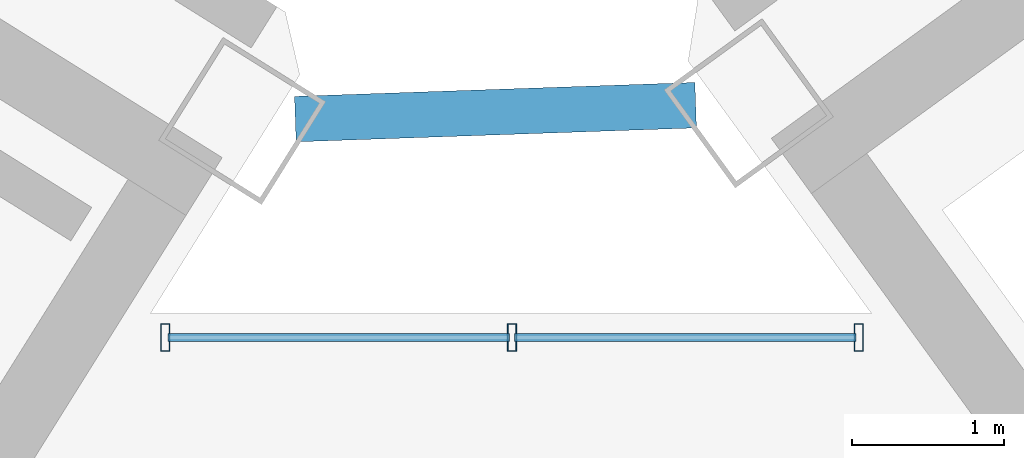
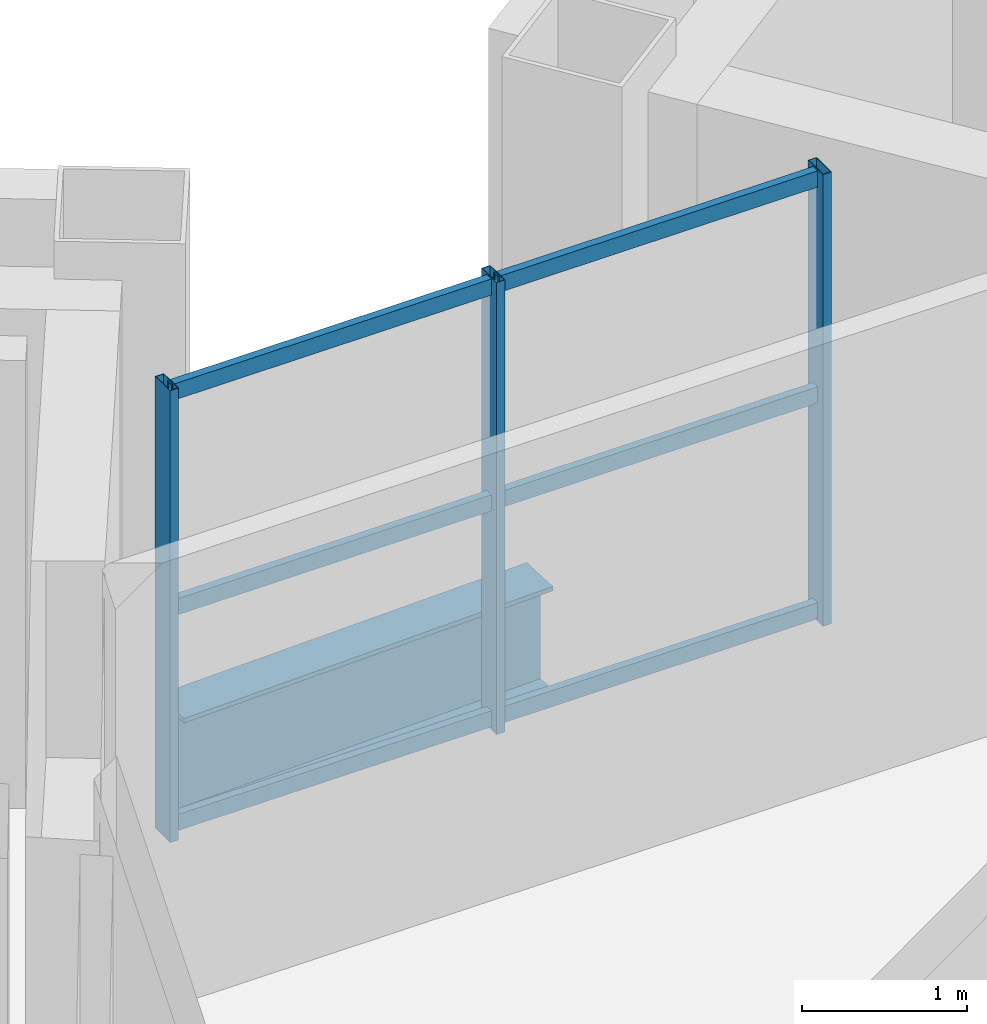
# One storey, part 12 of 27: 9 members, 1 beam, 1 element without a shape of its own.
"""IFC4 building model written with IfcOpenShell, lengths in metres."""

import ifcopenshell
import ifcopenshell.guid

model = None  # the IFC model being written
_history = None  # IfcOwnerHistory: only IFC2X3 demands one
_inside = {}  # id of a spatial element -> (the spatial element, [elements in it])
_under = {}  # id of a project, library or spatial element -> (it, [spatial elements below it])
_declared = {}  # id of a project -> (the project, [libraries it declares])
_typed = {}  # id of a type object -> (the type object, [elements of that type])
_made_of = {}  # id of a material, layer set ... -> (it, [elements and type objects made of it])


def new_model(schema):
    """Start an empty IFC model of exactly this schema.

    Asked for "IFC4X3", IfcOpenShell would pick the latest addendum, in which some entities
    have other attributes; the version numbers below select the first issue.
    IFC2X3 requires an IfcOwnerHistory on every rooted entity: one is made here for all.
    """
    global model, _history
    if schema == "IFC4X3":
        model = ifcopenshell.file(schema_version=(4, 3, 0, 0))
    else:
        model = ifcopenshell.file(schema=schema)
    _inside.clear()
    _under.clear()
    _declared.clear()
    _typed.clear()
    _made_of.clear()
    _history = None
    if model.schema == "IFC2X3":
        org = make("IfcOrganization", Name="unknown")
        user = make(
            "IfcPersonAndOrganization",
            ThePerson=make("IfcPerson", FamilyName="unknown"),
            TheOrganization=org,
        )
        app = make(
            "IfcApplication",
            ApplicationDeveloper=org,
            Version="unknown",
            ApplicationFullName="unknown",
            ApplicationIdentifier="unknown",
        )
        _history = make(
            "IfcOwnerHistory",
            OwningUser=user,
            OwningApplication=app,
            ChangeAction="ADDED",
            CreationDate=0,
        )
    return model


def make(cls, **values):
    """One entity of the class cls with the attributes given. An attribute that is None is left unset."""
    return model.create_entity(
        cls, **{name: value for name, value in values.items() if value is not None}
    )


def rooted(cls, **values):
    """An entity with a GlobalId (a new one), such as an element, a storey or a relation."""
    return make(cls, GlobalId=ifcopenshell.guid.new(), OwnerHistory=_history, **values)


def si_unit(unit_type, name, prefix=None):
    """IfcSIUnit, for example si_unit("LENGTHUNIT", "METRE", prefix="MILLI")."""
    return make("IfcSIUnit", UnitType=unit_type, Prefix=prefix, Name=name)


def assignment(units):
    """IfcUnitAssignment: the units of a project."""
    return None if units is None else make("IfcUnitAssignment", Units=units)


def point(xyz):
    """IfcCartesianPoint."""
    return None if xyz is None else make("IfcCartesianPoint", Coordinates=xyz)


def direction(xyz):
    """IfcDirection."""
    return None if xyz is None else make("IfcDirection", DirectionRatios=xyz)


def frame(location, z_axis=None, x_axis=None):
    """IfcAxis2Placement3D, a coordinate frame: its origin and axes. An axis left out is left unset."""
    return make(
        "IfcAxis2Placement3D",
        Location=point(location),
        Axis=direction(z_axis),
        RefDirection=direction(x_axis),
    )


def frame_2d(location, x_axis=None):
    """IfcAxis2Placement2D, a coordinate frame in the plane: its origin and x axis."""
    return make(
        "IfcAxis2Placement2D", Location=point(location), RefDirection=direction(x_axis)
    )


def origin():
    """The frame at (0, 0, 0) with its axes left unset."""
    return frame((0.0, 0.0, 0.0))


def origin_2d():
    """The frame at (0, 0) in the plane with its x axis left unset."""
    return frame_2d((0.0, 0.0))


def place(relative_to, where):
    """IfcLocalPlacement: puts the frame where relative to a parent placement (None: the world)."""
    return make(
        "IfcLocalPlacement", PlacementRelTo=relative_to, RelativePlacement=where
    )


def context(
    kind, dimensions, precision=None, world=None, true_north=None, identifier=None
):
    """IfcGeometricRepresentationContext, for example the 3D "Model" context."""
    return make(
        "IfcGeometricRepresentationContext",
        ContextIdentifier=identifier,
        ContextType=kind,
        CoordinateSpaceDimension=dimensions,
        Precision=precision,
        WorldCoordinateSystem=world,
        TrueNorth=true_north,
    )


def subcontext(parent, identifier, kind, view, scale=None):
    """IfcGeometricRepresentationSubContext, for example "Body" below "Model"."""
    return make(
        "IfcGeometricRepresentationSubContext",
        ContextIdentifier=identifier,
        ContextType=kind,
        ParentContext=parent,
        TargetScale=scale,
        TargetView=view,
    )


def project(units=None, contexts=None):
    """IfcProject with its units and contexts."""
    return rooted(
        "IfcProject",
        Name="project",
        RepresentationContexts=contexts,
        UnitsInContext=assignment(units),
    )


def spatial(cls, under=None, at=None, **own):
    """A site, building, storey or space (cls), placed at a placement, below another one or the project."""
    s = rooted(cls, ObjectPlacement=at, **own)
    if under is not None:
        _under.setdefault(under.id(), (under, []))[1].append(s)
    return s


def profile(cls, at=None, kind="AREA", **sizes):
    """A parametric profile (cls). Its sizes go by their IFC names, for example OverallWidth=200.0."""
    return make(cls, ProfileType=kind, Position=at, **sizes)


def hollow_rectangle(**sizes):
    """IfcRectangleHollowProfileDef."""
    return profile("IfcRectangleHollowProfileDef", **sizes)


def i_section(**sizes):
    """IfcIShapeProfileDef."""
    return profile("IfcIShapeProfileDef", **sizes)


def extrude(swept, where, along, depth):
    """IfcExtrudedAreaSolid: the profile swept, set in the frame where, extruded along a direction by depth."""
    return make(
        "IfcExtrudedAreaSolid",
        SweptArea=swept,
        Position=where,
        ExtrudedDirection=direction(along),
        Depth=depth,
    )


def shape(context_of_items, identifier, shape_type, items):
    """IfcShapeRepresentation: the items that make up one representation, for example the "Body"."""
    return make(
        "IfcShapeRepresentation",
        ContextOfItems=context_of_items,
        RepresentationIdentifier=identifier,
        RepresentationType=shape_type,
        Items=items,
    )


def source(mapping_origin, context_of_items, identifier, shape_type, items):
    """IfcRepresentationMap: a shape defined once, which mapped items show again and again."""
    return make(
        "IfcRepresentationMap",
        MappingOrigin=mapping_origin,
        MappedRepresentation=shape(context_of_items, identifier, shape_type, items),
    )


def transform(
    local_origin,
    x_axis=None,
    y_axis=None,
    z_axis=None,
    scale=None,
    scale2=None,
    scale3=None,
    uniform=True,
):
    """IfcCartesianTransformationOperator3D, or its non-uniform kind. x_axis, y_axis, z_axis: its Axis1, 2, 3."""
    if uniform:
        return make(
            "IfcCartesianTransformationOperator3D",
            Axis1=direction(x_axis),
            Axis2=direction(y_axis),
            LocalOrigin=point(local_origin),
            Scale=scale,
            Axis3=direction(z_axis),
        )
    return make(
        "IfcCartesianTransformationOperator3DnonUniform",
        Axis1=direction(x_axis),
        Axis2=direction(y_axis),
        LocalOrigin=point(local_origin),
        Scale=scale,
        Axis3=direction(z_axis),
        Scale2=scale2,
        Scale3=scale3,
    )


def mapped(mapping_source, mapping_target):
    """IfcMappedItem: shows the shape of a source again, moved by a transform."""
    return make(
        "IfcMappedItem", MappingSource=mapping_source, MappingTarget=mapping_target
    )


def material(Name=None, Category=None):
    """IfcMaterial."""
    return make("IfcMaterial", Name=Name, Category=Category)


def material_profile(
    of_material, cross_section, Name=None, Category=None, Priority=None
):
    """IfcMaterialProfile: a cross section and its material."""
    return make(
        "IfcMaterialProfile",
        Name=Name,
        Material=of_material,
        Profile=cross_section,
        Priority=Priority,
        Category=Category,
    )


def profile_set(profiles, Name=None, composite=None):
    """IfcMaterialProfileSet."""
    return make(
        "IfcMaterialProfileSet",
        Name=Name,
        MaterialProfiles=profiles,
        CompositeProfile=composite,
    )


def made_of(thing, what):
    """Note that an element or type object is made of a material, layer set ...; save() writes the relation."""
    if what is not None:
        _made_of.setdefault(what.id(), (what, []))[1].append(thing)
    return thing


def type_object(cls, material=None, **own):
    """A type object (cls), such as IfcWallType, which elements share."""
    return made_of(rooted(cls, **own), material)


def element(
    cls,
    number,
    at=None,
    inside=None,
    cuts=None,
    type_object=None,
    material=None,
    context=None,
    identifier="Body",
    shape_type=None,
    held_by="IfcProductDefinitionShape",
    body=None,
    shapes=None,
    **own,
):
    """One element of the class cls, such as IfcWall. Its Tag is "e" and its number.

    at: its placement. inside: the storey or other place that contains it. cuts: it is an
    opening in that element (IfcRelVoidsElement). A single representation is given by context,
    identifier, shape_type and body (its items); several are given by shapes. held_by: the class
    of the entity that holds the representations. save() writes the other relations.
    """
    e = rooted(cls, Tag="e%d" % number, ObjectPlacement=at, **own)
    if body is not None:
        shapes = [shape(context, identifier, shape_type, body)]
    if shapes is not None:
        e.Representation = make(held_by, Representations=shapes)
    if inside is not None:
        _inside.setdefault(inside.id(), (inside, []))[1].append(e)
    if cuts is not None:
        rooted(
            "IfcRelVoidsElement", RelatingBuildingElement=cuts, RelatedOpeningElement=e
        )
    if type_object is not None:
        _typed.setdefault(type_object.id(), (type_object, []))[1].append(e)
    return made_of(e, material)


def aggregate(whole, parts):
    """IfcRelAggregates: a whole, such as a stair, and the parts it consists of."""
    return rooted("IfcRelAggregates", RelatingObject=whole, RelatedObjects=parts)


def save(model, path):
    """Write the relations noted so far, then the file.

    IfcRelAggregates (storeys below a building ...), IfcRelContainedInSpatialStructure (elements
    in a storey), IfcRelDefinesByType, IfcRelAssociatesMaterial and IfcRelDeclares: one each for
    every whole, place, type object, material and project.
    """
    for whole, parts in _under.values():
        aggregate(whole, parts)
    for where, things in _inside.values():
        rooted(
            "IfcRelContainedInSpatialStructure",
            RelatedElements=things,
            RelatingStructure=where,
        )
    for kind, things in _typed.values():
        rooted("IfcRelDefinesByType", RelatedObjects=things, RelatingType=kind)
    for what, things in _made_of.values():
        rooted("IfcRelAssociatesMaterial", RelatedObjects=things, RelatingMaterial=what)
    for by, libraries in _declared.values():
        rooted("IfcRelDeclares", RelatingContext=by, RelatedDefinitions=libraries)
    model.write(path)


model = new_model("IFC4")

# Units and contexts
model_context = context("Model", 3, precision=1e-05, world=origin(), true_north=direction((0.0, 1.0)))
body_context = subcontext(model_context, "Body", "Model", "MODEL_VIEW")
ifc_project = project(units=[si_unit("LENGTHUNIT", "METRE"), si_unit("AREAUNIT", "SQUARE_METRE"), si_unit("VOLUMEUNIT", "CUBIC_METRE"), si_unit("PLANEANGLEUNIT", "RADIAN"), si_unit("MASSUNIT", "GRAM", prefix="KILO")], contexts=[model_context])

# Site, building, storey
site_placement = place(None, origin())
site = spatial("IfcSite", under=ifc_project, at=site_placement, CompositionType="ELEMENT")
building_placement = place(site_placement, origin())
building = spatial("IfcBuilding", under=site, at=building_placement, Name="Tlacorven Tower", CompositionType="ELEMENT")
storey_placement = place(building_placement, frame((0.0, 0.0, 242.10009765625)))
storey = spatial("IfcBuildingStorey", under=building, at=storey_placement, Name="L61", CompositionType="ELEMENT", Elevation=242.10009765625)

# Beam
ifc_material_1 = material(Name="Steel S355J2", Category="steel")
ifc_material_profile_1 = material_profile(ifc_material_1, i_section(OverallWidth=0.300048828125, OverallDepth=0.800048828125, WebThickness=0.017578125, FlangeThickness=0.032958984375, at=origin_2d()), Name="HEB 800")
ifc_profile_set_1 = profile_set([ifc_material_profile_1], Name="Steel S355J2")
beam_type = type_object("IfcBeamType", Name="BM-POD-800", PredefinedType="BEAM", material=ifc_profile_set_1)
shared_shape_1 = source(origin(), body_context, "Body", "SweptSolid", [
    extrude(i_section(OverallWidth=0.300048828125, OverallDepth=0.800048828125, WebThickness=0.017578125, FlangeThickness=0.032958984375, at=origin_2d()), origin(), (0.0, 0.0, 1.0), 2.642822265625),
])
beam_placement = place(storey_placement, frame((41.1328125, 24.480712890625, -0.650146484375), z_axis=(0.999393314814, 0.034828182629, 0.0), x_axis=(-0.034828182629, 0.999393314814, 0.0)))
element("IfcBeam", 1, at=beam_placement, inside=storey, type_object=beam_type, Name="L61 Knuckle Link Girder 1", PredefinedType="BEAM", context=body_context, shape_type="MappedRepresentation", body=[
    mapped(shared_shape_1, transform((0.0, 0.0, 0.0), scale=1.0)),
])

# Curtain wall, members
ifc_material_2 = material(Name="Dark solar low-E double glazing in aluminium frame", Category="aluminium")
curtain_wall_type = type_object("IfcCurtainWallType", Name="CW-TWR-HIGH", PredefinedType="USERDEFINED", material=ifc_material_2)
curtain_wall_placement = place(storey_placement, origin())
curtain_wall = element("IfcCurtainWall", 2, at=curtain_wall_placement, inside=storey, type_object=curtain_wall_type, Name="L61 CW-TWR-HIGH Curtain Wall 283", ObjectType="UNITISED CURTAIN WALL", PredefinedType="USERDEFINED")
ifc_material_3 = material(Name="Aluminium 6063-T6 anodised", Category="aluminium")
ifc_material_profile_2 = material_profile(ifc_material_3, hollow_rectangle(XDim=0.054931640625, YDim=0.1201171875, WallThickness=0.00341796875, at=origin_2d()), Name="ALU TRANSOM 55X120")
ifc_profile_set_2 = profile_set([ifc_material_profile_2], Name="Aluminium 6063-T6 anodised")
member_type_1 = type_object("IfcMemberType", Name="CWT-03", PredefinedType="USERDEFINED", material=ifc_profile_set_2)
shared_shape_2 = source(origin(), body_context, "Body", "SweptSolid", [
    extrude(hollow_rectangle(XDim=0.054931640625, YDim=0.1201171875, WallThickness=0.00341796875, at=origin_2d()), origin(), (0.0, 0.0, 1.0), 2.252197265625),
])
member_1_placement = place(storey_placement, frame((40.2919921875, 23.0400390625, 0.059814453125), z_axis=(1.0, 0.0, 0.0), x_axis=(0.0, 1.0, 0.0)))
member_1 = element("IfcMember", 3, at=member_1_placement, type_object=member_type_1, Name="CW-L61-283 Transom 1", ObjectType="TRANSOM", PredefinedType="USERDEFINED", context=body_context, shape_type="MappedRepresentation", body=[
    mapped(shared_shape_2, transform((0.0, 0.0, 0.0), scale=1.0)),
])
member_2_placement = place(storey_placement, frame((40.2919921875, 23.0400390625, 1.659912109375), z_axis=(1.0, 0.0, 0.0), x_axis=(0.0, 1.0, 0.0)))
member_2 = element("IfcMember", 4, at=member_2_placement, type_object=member_type_1, Name="CW-L61-283 Transom 2", ObjectType="TRANSOM", PredefinedType="USERDEFINED", context=body_context, shape_type="MappedRepresentation", body=[
    mapped(shared_shape_2, transform((0.0, 0.0, 0.0), scale=1.0)),
])
member_3_placement = place(storey_placement, frame((40.2919921875, 23.0400390625, 3.260009765625), z_axis=(1.0, 0.0, 0.0), x_axis=(0.0, 1.0, 0.0)))
member_3 = element("IfcMember", 5, at=member_3_placement, type_object=member_type_1, Name="CW-L61-283 Transom 3", ObjectType="TRANSOM", PredefinedType="USERDEFINED", context=body_context, shape_type="MappedRepresentation", body=[
    mapped(shared_shape_2, transform((0.0, 0.0, 0.0), scale=1.0)),
])
member_4_placement = place(storey_placement, frame((42.580322265625, 23.0400390625, 0.059814453125), z_axis=(1.0, 0.0, 0.0), x_axis=(0.0, 1.0, 0.0)))
member_4 = element("IfcMember", 6, at=member_4_placement, type_object=member_type_1, Name="CW-L61-283 Transom 4", ObjectType="TRANSOM", PredefinedType="USERDEFINED", context=body_context, shape_type="MappedRepresentation", body=[
    mapped(shared_shape_2, transform((0.0, 0.0, 0.0), scale=1.0)),
])
member_5_placement = place(storey_placement, frame((42.580322265625, 23.0400390625, 1.659912109375), z_axis=(1.0, 0.0, 0.0), x_axis=(0.0, 1.0, 0.0)))
member_5 = element("IfcMember", 7, at=member_5_placement, type_object=member_type_1, Name="CW-L61-283 Transom 5", ObjectType="TRANSOM", PredefinedType="USERDEFINED", context=body_context, shape_type="MappedRepresentation", body=[
    mapped(shared_shape_2, transform((0.0, 0.0, 0.0), scale=1.0)),
])
member_6_placement = place(storey_placement, frame((42.580322265625, 23.0400390625, 3.260009765625), z_axis=(1.0, 0.0, 0.0), x_axis=(0.0, 1.0, 0.0)))
member_6 = element("IfcMember", 8, at=member_6_placement, type_object=member_type_1, Name="CW-L61-283 Transom 6", ObjectType="TRANSOM", PredefinedType="USERDEFINED", context=body_context, shape_type="MappedRepresentation", body=[
    mapped(shared_shape_2, transform((0.0, 0.0, 0.0), scale=1.0)),
])
ifc_material_profile_3 = material_profile(ifc_material_3, hollow_rectangle(XDim=0.06005859375, YDim=0.179931640625, WallThickness=0.00390625, at=origin_2d()), Name="ALU MULLION 60X180")
ifc_profile_set_3 = profile_set([ifc_material_profile_3], Name="Aluminium 6063-T6 anodised")
member_type_2 = type_object("IfcMemberType", Name="CWM-03", PredefinedType="MULLION", material=ifc_profile_set_3)
shared_shape_3 = source(origin(), body_context, "Body", "SweptSolid", [
    extrude(hollow_rectangle(XDim=0.06005859375, YDim=0.179931640625, WallThickness=0.00390625, at=origin_2d()), origin(), (0.0, 0.0, 1.0), 3.349853515625),
])
member_7_placement = place(storey_placement, frame((40.27392578125, 23.0400390625, -0.02001953125), z_axis=(0.0, 0.0, 1.0), x_axis=(1.0, 0.0, 0.0)))
member_7 = element("IfcMember", 9, at=member_7_placement, type_object=member_type_2, Name="CW-L61-283 Mullion 1", PredefinedType="MULLION", context=body_context, shape_type="MappedRepresentation", body=[
    mapped(shared_shape_3, transform((0.0, 0.0, 0.0), scale=1.0)),
])
member_8_placement = place(storey_placement, frame((42.562255859375, 23.0400390625, -0.02001953125), z_axis=(0.0, 0.0, 1.0), x_axis=(1.0, 0.0, 0.0)))
member_8 = element("IfcMember", 10, at=member_8_placement, type_object=member_type_2, Name="CW-L61-283 Mullion 2", PredefinedType="MULLION", context=body_context, shape_type="MappedRepresentation", body=[
    mapped(shared_shape_3, transform((0.0, 0.0, 0.0), scale=1.0)),
])
member_9_placement = place(storey_placement, frame((44.8505859375, 23.0400390625, -0.02001953125), z_axis=(0.0, 0.0, 1.0), x_axis=(1.0, 0.0, 0.0)))
member_9 = element("IfcMember", 11, at=member_9_placement, type_object=member_type_2, Name="CW-L61-283 Mullion 3", PredefinedType="MULLION", context=body_context, shape_type="MappedRepresentation", body=[
    mapped(shared_shape_3, transform((0.0, 0.0, 0.0), scale=1.0)),
])
aggregate(curtain_wall, [member_7, member_8, member_9, member_1, member_2, member_3, member_4, member_5, member_6])

save(model, "model.ifc")
